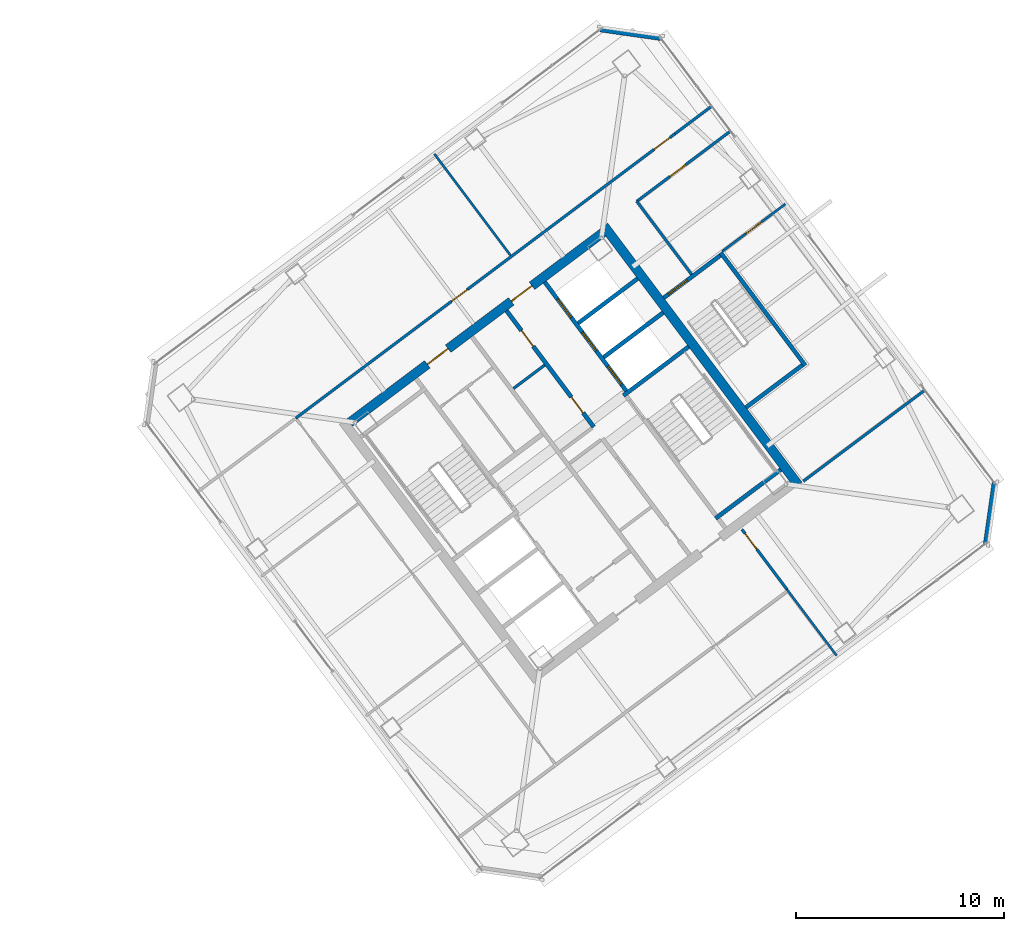
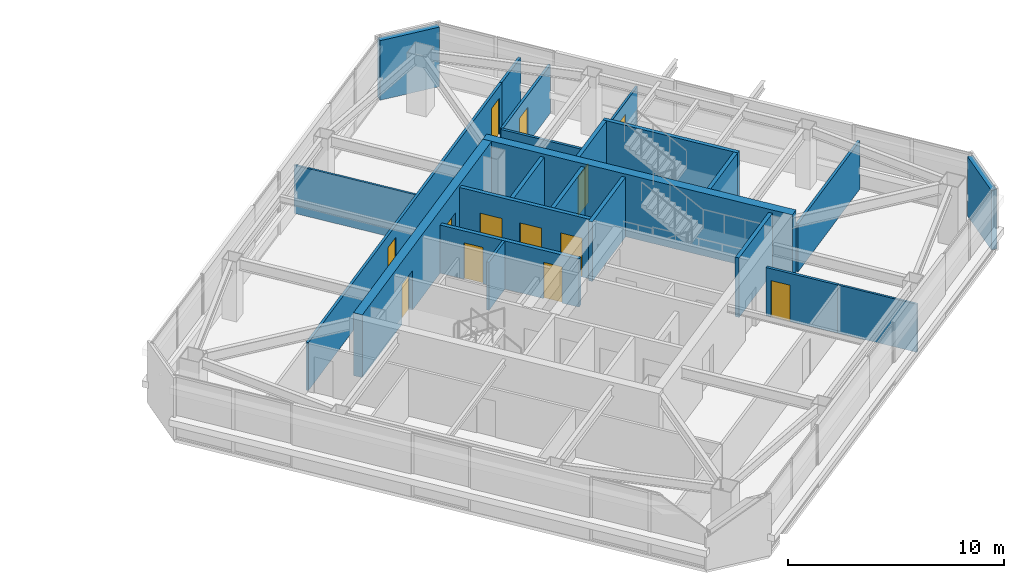
# One storey, part 37 of 44: 23 walls, 13 doors, 13 openings.
"""IFC4 building model written with IfcOpenShell, lengths in metres."""

from ifc_helpers import new_model, si_unit, direction, frame, frame_2d, origin, place, context, subcontext, project, spatial, rectangle, extrude, material, layer, layer_set, type_object, element, fill, save


model = new_model("IFC4")

# Units and contexts
model_context = context("Model", 3, precision=1e-05, world=origin(), true_north=direction((0.0, 1.0)))
body_context = subcontext(model_context, "Body", "Model", "MODEL_VIEW")
ifc_project = project(units=[si_unit("LENGTHUNIT", "METRE"), si_unit("AREAUNIT", "SQUARE_METRE"), si_unit("VOLUMEUNIT", "CUBIC_METRE"), si_unit("PLANEANGLEUNIT", "RADIAN"), si_unit("MASSUNIT", "GRAM", prefix="KILO")], contexts=[model_context])

# Site, building, storey
site_placement = place(None, origin())
site = spatial("IfcSite", under=ifc_project, at=site_placement, CompositionType="ELEMENT")
building_placement = place(site_placement, origin())
building = spatial("IfcBuilding", under=site, at=building_placement, Name="Tashvorn Skyway Center", CompositionType="ELEMENT")
storey_placement = place(building_placement, frame((0.0, 0.0, 211.300048828125)))
storey = spatial("IfcBuildingStorey", under=building, at=storey_placement, Name="L57", CompositionType="ELEMENT", Elevation=211.300048828125)

# Wall
ifc_material_1 = material(Name="Concrete C50/60", Category="concrete")
ifc_layer_1 = layer(ifc_material_1, 0.449951171875)
ifc_layer_set_1 = layer_set([ifc_layer_1], Name="Concrete C50/60")
wall_type_1 = type_object("IfcWallType", Name="WALL-CORE-450", PredefinedType="SHEAR", material=ifc_layer_set_1)
wall_1_placement = place(storey_placement, frame((115.60400390625, 42.952880859375, 0.0), z_axis=(0.0, 0.0, 1.0), x_axis=(0.600005007985, -0.799996243986, 0.0)))
element("IfcWall", 1, at=wall_1_placement, inside=storey, type_object=wall_type_1, Name="Tower 2 L57 East Core Shear Wall", PredefinedType="SHEAR", context=body_context, shape_type="SweptSolid", body=[
    extrude(rectangle(XDim=15.60009765625, YDim=0.449951171875, at=frame_2d((7.800048828125, 0.0))), origin(), (0.0, 0.0, 1.0), 3.550048828125),
])

# Wall, openings, doors
wall_2_placement = place(storey_placement, frame((103.35107421875, 33.48193359375, 0.0), z_axis=(0.0, 0.0, 1.0), x_axis=(0.8, 0.6, 0.0)))
wall_2 = element("IfcWall", 2, at=wall_2_placement, inside=storey, type_object=wall_type_1, Name="Tower 2 L57 North Core Shear Wall", PredefinedType="SHEAR", context=body_context, shape_type="SweptSolid", body=[
    extrude(rectangle(XDim=15.260009765625, YDim=0.449951171875, at=frame_2d((7.6298828125, 0.0))), origin(), (0.0, 0.0, 1.0), 3.550048828125),
])
opening_1_placement = place(wall_2_placement, frame((4.679931640625, 0.0, 0.0)))
opening_1 = element("IfcOpeningElement", 3, at=opening_1_placement, cuts=wall_2, Name="Opening D-FFL-1250", PredefinedType="OPENING", context=body_context, shape_type="SweptSolid", body=[
    extrude(rectangle(XDim=1.25, YDim=2.25, at=frame_2d((0.625, 1.125))), frame((0.0, 0.23486328125, 0.0), z_axis=(0.0, -1.0, 0.0), x_axis=(1.0, 0.0, 0.0)), (0.0, 0.0, 1.0), 0.469970703125),
])
opening_2_placement = place(wall_2_placement, frame((9.72998046875, 0.0, 0.0)))
opening_2 = element("IfcOpeningElement", 4, at=opening_2_placement, cuts=wall_2, Name="Opening D-FFL-1250", PredefinedType="OPENING", context=body_context, shape_type="SweptSolid", body=[
    extrude(rectangle(XDim=1.25, YDim=2.25, at=frame_2d((0.625, 1.125))), frame((0.0, 0.23486328125, 0.0), z_axis=(0.0, -1.0, 0.0), x_axis=(1.0, 0.0, 0.0)), (0.0, 0.0, 1.0), 0.469970703125),
])
ifc_material_2 = material(Name="Hollow galvanized steel fire door assembly", Category="steel")
door_type_1 = type_object("IfcDoorType", Name="DOOR-FFL-1250", OperationType="NOTDEFINED", PredefinedType="DOOR", material=ifc_material_2)
door_1_placement = place(opening_1_placement, origin())
door_1 = element("IfcDoor", 5, at=door_1_placement, inside=storey, type_object=door_type_1, Name="Tower 2 L57 Core North Service Lobby Door", OperationType="SINGLE_SWING_LEFT", OverallHeight=2.25, OverallWidth=1.25, PredefinedType="DOOR", context=body_context, shape_type="SweptSolid", body=[
    extrude(rectangle(XDim=1.25, YDim=2.25, at=frame_2d((0.625, 1.125))), frame((0.0, 0.02490234375, 0.0), z_axis=(0.0, -1.0, 0.0), x_axis=(1.0, 0.0, 0.0)), (0.0, 0.0, 1.0), 0.050048828125),
])
fill(opening_1, door_1)
door_2_placement = place(opening_2_placement, origin())
door_2 = element("IfcDoor", 6, at=door_2_placement, inside=storey, type_object=door_type_1, Name="Tower 2 L57 Core North Lift Lobby Door", OperationType="SINGLE_SWING_RIGHT", OverallHeight=2.25, OverallWidth=1.25, PredefinedType="DOOR", context=body_context, shape_type="SweptSolid", body=[
    extrude(rectangle(XDim=1.25, YDim=2.25, at=frame_2d((0.625, 1.125))), frame((0.0, 0.02490234375, 0.0), z_axis=(0.0, -1.0, 0.0), x_axis=(1.0, 0.0, 0.0)), (0.0, 0.0, 1.0), 0.050048828125),
])
fill(opening_2, door_2)

# Walls
ifc_material_3 = material(Name="Precast concrete C40/50", Category="concrete")
ifc_layer_2 = layer(ifc_material_3, 0.280029296875)
ifc_layer_set_2 = layer_set([ifc_layer_2], Name="Precast concrete C40/50")
wall_type_2 = type_object("IfcWallType", Name="WALL-EXT-280", PredefinedType="SOLIDWALL", material=ifc_layer_set_2)
for number, where, z_axis, x_axis, name in (
    (7, (115.419921875, 52.43994140625, 0.0), (0.0, 0.0, 1.0), (0.989954425158, -0.14138683146, 0.0), "Tower 2 L57 NE Precast Chamfer Wall"),
    (8, (134.43994140625, 30.580078125, 0.0), (0.0, 0.0, 1.0), (-0.14138683146, -0.989954425158, 0.0), "Tower 2 L57 SE Precast Chamfer Wall"),
):
    element("IfcWall", number, at=place(storey_placement, frame(where, z_axis=z_axis, x_axis=x_axis)), inside=storey, type_object=wall_type_2, Name=name, PredefinedType="SOLIDWALL", context=body_context, shape_type="SweptSolid", body=[
        extrude(rectangle(XDim=2.969970703125, YDim=0.280029296875, at=frame_2d((1.48486328125, 0.0))), origin(), (0.0, 0.0, 1.0), 3.369873046875),
    ])
ifc_material_4 = material(Name="Gypsum board on cold-formed steel stud framing", Category="steel")
ifc_layer_3 = layer(ifc_material_4, 0.110107421875)
ifc_layer_set_3 = layer_set([ifc_layer_3], Name="Gypsum board on cold-formed steel stud framing")
wall_type_3 = type_object("IfcWallType", Name="WALL-PART-110", PredefinedType="PARTITIONING", material=ifc_layer_set_3)
wall_3_placement = place(storey_placement, frame((111.092041015625, 41.5439453125, 0.0), z_axis=(0.0, 0.0, 1.0), x_axis=(-0.600006403464, 0.799995197362, 0.0)))
element("IfcWall", 9, at=wall_3_placement, inside=storey, type_object=wall_type_3, Name="Tower 2 L57 North Suite Partition 1", PredefinedType="PARTITIONING", context=body_context, shape_type="SweptSolid", body=[
    extrude(rectangle(XDim=6.10009765625, YDim=0.110107421875, at=frame_2d((3.050048828125, 0.0))), origin(), (0.0, 0.0, 1.0), 2.722900390625),
])
wall_4_placement = place(storey_placement, frame((126.80810546875, 22.256103515625, 0.0), z_axis=(0.0, 0.0, 1.0), x_axis=(-0.600019580308, 0.799985314394, 0.0)))
element("IfcWall", 10, at=wall_4_placement, inside=storey, type_object=wall_type_3, Name="Tower 2 L57 South-East Suite Wall", PredefinedType="PARTITIONING", context=body_context, shape_type="SweptSolid", body=[
    extrude(rectangle(XDim=3.989990234375, YDim=0.110107421875, at=frame_2d((1.9951171875, 0.0))), origin(), (0.0, 0.0, 1.0), 2.722900390625),
])

# Wall, opening, door
wall_5_placement = place(storey_placement, frame((124.343994140625, 44.008056640625, 0.0), z_axis=(0.0, 0.0, 1.0), x_axis=(-0.8, -0.6, 0.0)))
wall_5 = element("IfcWall", 11, at=wall_5_placement, inside=storey, type_object=wall_type_3, Name="Tower 2 L57 East Suite Partition 1", PredefinedType="PARTITIONING", context=body_context, shape_type="SweptSolid", body=[
    extrude(rectangle(XDim=3.800048828125, YDim=0.110107421875, at=frame_2d((1.89990234375, 0.0))), origin(), (0.0, 0.0, 1.0), 2.722900390625),
])
opening_3_placement = place(wall_5_placement, frame((1.425048828125, 0.0, 0.0)))
opening_3 = element("IfcOpeningElement", 12, at=opening_3_placement, cuts=wall_5, Name="Opening D-INT-950", PredefinedType="OPENING", context=body_context, shape_type="SweptSolid", body=[
    extrude(rectangle(XDim=0.949951171875, YDim=2.050048828125, at=frame_2d((0.47509765625, 1.02490234375))), frame((0.0, 0.06494140625, 0.0), z_axis=(0.0, -1.0, 0.0), x_axis=(1.0, 0.0, 0.0)), (0.0, 0.0, 1.0), 0.130126953125),
])
ifc_material_5 = material(Name="Solid-core architectural oak veneer door")
door_type_2 = type_object("IfcDoorType", Name="DOOR-INT-950", OperationType="NOTDEFINED", PredefinedType="DOOR", material=ifc_material_5)
door_3_placement = place(opening_3_placement, origin())
door_3 = element("IfcDoor", 13, at=door_3_placement, inside=storey, type_object=door_type_2, Name="Tower 2 L57 Corporate Office Door", OperationType="SINGLE_SWING_RIGHT", OverallHeight=2.050048828125, OverallWidth=0.949951171875, PredefinedType="DOOR", context=body_context, shape_type="SweptSolid", body=[
    extrude(rectangle(XDim=0.949951171875, YDim=2.050048828125, at=frame_2d((0.47509765625, 1.02490234375))), frame((0.0, 0.02490234375, 0.0), z_axis=(0.0, -1.0, 0.0), x_axis=(1.0, 0.0, 0.0)), (0.0, 0.0, 1.0), 0.050048828125),
])
fill(opening_3, door_3)

# Wall
ifc_layer_4 = layer(ifc_material_4, 0.135009765625)
ifc_layer_set_4 = layer_set([ifc_layer_4], Name="Gypsum board on cold-formed steel stud framing")
wall_type_4 = type_object("IfcWallType", Name="WALL-PART-135", PredefinedType="PARTITIONING", material=ifc_layer_set_4)
wall_6_placement = place(storey_placement, frame((119.823974609375, 40.617919921875, 0.0), z_axis=(0.0, 0.0, 1.0), x_axis=(-0.599982243973, 0.800013316712, 0.0)))
element("IfcWall", 14, at=wall_6_placement, inside=storey, type_object=wall_type_4, Name="Tower 2 L57 Stair 3 Access Corridor Wall", PredefinedType="PARTITIONING", context=body_context, shape_type="SweptSolid", body=[
    extrude(rectangle(XDim=4.39990234375, YDim=0.135009765625, at=frame_2d((2.199951171875, 0.0))), origin(), (0.0, 0.0, 1.0), 2.722900390625),
])

# Wall, openings, doors
wall_7_placement = place(storey_placement, frame((100.756103515625, 33.69189453125, 0.0), z_axis=(0.0, 0.0, 1.0), x_axis=(0.799998716732, 0.60000171102, 0.0)))
wall_7 = element("IfcWall", 15, at=wall_7_placement, inside=storey, type_object=wall_type_4, Name="Tower 2 L57 North Suite Wall", PredefinedType="PARTITIONING", context=body_context, shape_type="SweptSolid", body=[
    extrude(rectangle(XDim=22.829833984375, YDim=0.135009765625, at=frame_2d((11.4150390625, 0.0))), origin(), (0.0, 0.0, 1.0), 2.722900390625),
])
opening_4_placement = place(wall_7_placement, frame((9.3798828125, 0.0, 0.0)))
opening_4 = element("IfcOpeningElement", 16, at=opening_4_placement, cuts=wall_7, Name="Opening D-INT-950", PredefinedType="OPENING", context=body_context, shape_type="SweptSolid", body=[
    extrude(rectangle(XDim=0.949951171875, YDim=2.050048828125, at=frame_2d((0.47509765625, 1.02490234375))), frame((0.0, 0.077392578125, 0.0), z_axis=(0.0, -1.0, 0.0), x_axis=(1.0, 0.0, 0.0)), (0.0, 0.0, 1.0), 0.155029296875),
])
opening_5_placement = place(wall_7_placement, frame((21.580078125, 0.0, 0.0)))
opening_5 = element("IfcOpeningElement", 17, at=opening_5_placement, cuts=wall_7, Name="Opening D-INT-950", PredefinedType="OPENING", context=body_context, shape_type="SweptSolid", body=[
    extrude(rectangle(XDim=0.949951171875, YDim=2.050048828125, at=frame_2d((0.47509765625, 1.02490234375))), frame((0.0, 0.077392578125, 0.0), z_axis=(0.0, -1.0, 0.0), x_axis=(1.0, 0.0, 0.0)), (0.0, 0.0, 1.0), 0.155029296875),
])
door_4_placement = place(opening_4_placement, origin())
door_4 = element("IfcDoor", 18, at=door_4_placement, inside=storey, type_object=door_type_2, Name="Tower 2 L57 Wellness Clinic Door", OperationType="SINGLE_SWING_LEFT", OverallHeight=2.050048828125, OverallWidth=0.949951171875, PredefinedType="DOOR", context=body_context, shape_type="SweptSolid", body=[
    extrude(rectangle(XDim=0.949951171875, YDim=2.050048828125, at=frame_2d((0.47509765625, 1.02490234375))), frame((0.0, 0.02490234375, 0.0), z_axis=(0.0, -1.0, 0.0), x_axis=(1.0, 0.0, 0.0)), (0.0, 0.0, 1.0), 0.050048828125),
])
fill(opening_4, door_4)
door_5_placement = place(opening_5_placement, origin())
door_5 = element("IfcDoor", 19, at=door_5_placement, inside=storey, type_object=door_type_2, Name="Tower 2 L57 Wellness Clinic Door", OperationType="SINGLE_SWING_RIGHT", OverallHeight=2.050048828125, OverallWidth=0.949951171875, PredefinedType="DOOR", context=body_context, shape_type="SweptSolid", body=[
    extrude(rectangle(XDim=0.949951171875, YDim=2.050048828125, at=frame_2d((0.47509765625, 1.02490234375))), frame((0.0, 0.02490234375, 0.0), z_axis=(0.0, -1.0, 0.0), x_axis=(1.0, 0.0, 0.0)), (0.0, 0.0, 1.0), 0.050048828125),
])
fill(opening_5, door_5)

# Wall
wall_8_placement = place(storey_placement, frame((119.02001953125, 47.389892578125, 0.0), z_axis=(0.0, 0.0, 1.0), x_axis=(0.799960585956, 0.600052548463, 0.0)))
element("IfcWall", 20, at=wall_8_placement, inside=storey, type_object=wall_type_4, Name="Tower 2 L57 North-East Suite South Wall", PredefinedType="PARTITIONING", context=body_context, shape_type="SweptSolid", body=[
    extrude(rectangle(XDim=2.22998046875, YDim=0.135009765625, at=frame_2d((1.114990234375, 0.0))), origin(), (0.0, 0.0, 1.0), 2.722900390625),
])

# Wall, opening, door
wall_9_placement = place(storey_placement, frame((122.248046875, 28.3359375, 0.0), z_axis=(0.0, 0.0, 1.0), x_axis=(0.600010820699, -0.799991884361, 0.0)))
wall_9 = element("IfcWall", 21, at=wall_9_placement, inside=storey, type_object=wall_type_4, Name="Tower 2 L57 South Gallery End Wall", PredefinedType="PARTITIONING", context=body_context, shape_type="SweptSolid", body=[
    extrude(rectangle(XDim=3.60986328125, YDim=0.135009765625, at=frame_2d((1.804931640625, 0.0))), origin(), (0.0, 0.0, 1.0), 2.722900390625),
])
opening_6_placement = place(wall_9_placement, frame((0.25, 0.0, 0.0)))
opening_6 = element("IfcOpeningElement", 22, at=opening_6_placement, cuts=wall_9, Name="Opening D-INT-950", PredefinedType="OPENING", context=body_context, shape_type="SweptSolid", body=[
    extrude(rectangle(XDim=0.949951171875, YDim=2.050048828125, at=frame_2d((0.47509765625, 1.02490234375))), frame((0.0, 0.077392578125, 0.0), z_axis=(0.0, -1.0, 0.0), x_axis=(1.0, 0.0, 0.0)), (0.0, 0.0, 1.0), 0.155029296875),
])
door_6_placement = place(opening_6_placement, origin())
door_6 = element("IfcDoor", 23, at=door_6_placement, inside=storey, type_object=door_type_2, Name="Tower 2 L57 Operations Control Room Door", OperationType="SINGLE_SWING_RIGHT", OverallHeight=2.050048828125, OverallWidth=0.949951171875, PredefinedType="DOOR", context=body_context, shape_type="SweptSolid", body=[
    extrude(rectangle(XDim=0.949951171875, YDim=2.050048828125, at=frame_2d((0.47509765625, 1.02490234375))), frame((0.0, 0.02490234375, 0.0), z_axis=(0.0, -1.0, 0.0), x_axis=(1.0, 0.0, 0.0)), (0.0, 0.0, 1.0), 0.050048828125),
])
fill(opening_6, door_6)

wall_10_placement = place(storey_placement, frame((121.7041015625, 47.528076171875, 0.0), z_axis=(0.0, 0.0, 1.0), x_axis=(-0.799989629485, -0.600013827105, 0.0)))
wall_10 = element("IfcWall", 24, at=wall_10_placement, inside=storey, type_object=wall_type_4, Name="Tower 2 L57 East Suite North Wall", PredefinedType="PARTITIONING", context=body_context, shape_type="SweptSolid", body=[
    extrude(rectangle(XDim=5.650146484375, YDim=0.135009765625, at=frame_2d((2.8251953125, 0.0))), origin(), (0.0, 0.0, 1.0), 2.722900390625),
])
opening_7_placement = place(wall_10_placement, frame((2.699951171875, 0.0, 0.0)))
opening_7 = element("IfcOpeningElement", 25, at=opening_7_placement, cuts=wall_10, Name="Opening D-INT-950", PredefinedType="OPENING", context=body_context, shape_type="SweptSolid", body=[
    extrude(rectangle(XDim=0.949951171875, YDim=2.050048828125, at=frame_2d((0.47509765625, 1.02490234375))), frame((0.0, 0.077392578125, 0.0), z_axis=(0.0, -1.0, 0.0), x_axis=(1.0, 0.0, 0.0)), (0.0, 0.0, 1.0), 0.155029296875),
])
door_7_placement = place(opening_7_placement, origin())
door_7 = element("IfcDoor", 26, at=door_7_placement, inside=storey, type_object=door_type_2, Name="Tower 2 L57 Operations Control Room Door", OperationType="SINGLE_SWING_LEFT", OverallHeight=2.050048828125, OverallWidth=0.949951171875, PredefinedType="DOOR", context=body_context, shape_type="SweptSolid", body=[
    extrude(rectangle(XDim=0.949951171875, YDim=2.050048828125, at=frame_2d((0.47509765625, 1.02490234375))), frame((0.0, 0.02490234375, 0.0), z_axis=(0.0, -1.0, 0.0), x_axis=(1.0, 0.0, 0.0)), (0.0, 0.0, 1.0), 0.050048828125),
])
fill(opening_7, door_7)

# Walls
wall_11_placement = place(storey_placement, frame((125.2080078125, 30.656005859375, 0.0), z_axis=(0.0, 0.0, 1.0), x_axis=(0.79999199534, 0.600010672732, 0.0)))
element("IfcWall", 27, at=wall_11_placement, inside=storey, type_object=wall_type_4, Name="Tower 2 L57 East Suite South Wall", PredefinedType="PARTITIONING", context=body_context, shape_type="SweptSolid", body=[
    extrude(rectangle(XDim=7.320068359375, YDim=0.135009765625, at=frame_2d((3.66015625, 0.0))), origin(), (0.0, 0.0, 1.0), 2.722900390625),
])
ifc_layer_5 = layer(ifc_material_4, 0.135009765625)
ifc_layer_set_5 = layer_set([ifc_layer_5], Name="Gypsum board on cold-formed steel stud framing")
wall_type_5 = type_object("IfcWallType", Name="WALL-RATED-135", PredefinedType="PARTITIONING", material=ifc_layer_set_5)
wall_12_placement = place(storey_placement, frame((111.24609375, 35.1220703125, 0.0), z_axis=(0.0, 0.0, 1.0), x_axis=(0.8, 0.6, 0.0)))
element("IfcWall", 28, at=wall_12_placement, inside=storey, type_object=wall_type_5, Name="Tower 2 L57 Freed Mid-Rise Partition", PredefinedType="PARTITIONING", context=body_context, shape_type="SweptSolid", body=[
    extrude(rectangle(XDim=1.8798828125, YDim=0.135009765625, at=frame_2d((0.93994140625, 0.0))), origin(), (0.0, 0.0, 1.0), 2.722900390625),
])
ifc_material_6 = material(Name="Concrete C40/50", Category="concrete")
ifc_layer_6 = layer(ifc_material_6, 0.199951171875)
ifc_layer_set_6 = layer_set([ifc_layer_6], Name="Concrete C40/50")
wall_type_6 = type_object("IfcWallType", Name="WALL-SHAFT-200", PredefinedType="SOLIDWALL", material=ifc_layer_set_6)
for number, where, z_axis, x_axis, name in (
    (29, (115.590087890625, 36.6298828125, 0.0), (0.0, 0.0, 1.0), (0.799975449747, 0.600032732276, 0.0), "Tower 2 L57 High-Rise Shaft Divider"),
    (30, (114.360107421875, 38.27001953125, 0.0), (0.0, 0.0, 1.0), (0.800008183455, 0.599989088572, 0.0), "Tower 2 L57 High-Rise Shaft Divider"),
):
    element("IfcWall", number, at=place(storey_placement, frame(where, z_axis=z_axis, x_axis=x_axis)), inside=storey, type_object=wall_type_6, Name=name, PredefinedType="SOLIDWALL", context=body_context, shape_type="SweptSolid", body=[
        extrude(rectangle(XDim=3.580078125, YDim=0.199951171875, at=frame_2d((1.7900390625, 0.0))), origin(), (0.0, 0.0, 1.0), 3.369873046875),
    ])

# Wall, openings, doors
wall_13_placement = place(storey_placement, frame((115.110107421875, 33.27001953125, 0.0), z_axis=(0.0, 0.0, 1.0), x_axis=(-0.600011160345, 0.79999162962, 0.0)))
wall_13 = element("IfcWall", 31, at=wall_13_placement, inside=storey, type_object=wall_type_6, Name="Tower 2 L57 Mid-Rise Core Wall", PredefinedType="SOLIDWALL", context=body_context, shape_type="SweptSolid", body=[
    extrude(rectangle(XDim=7.000244140625, YDim=0.199951171875, at=frame_2d((3.5, 0.0))), origin(), (0.0, 0.0, 1.0), 2.722900390625),
])
opening_8_placement = place(wall_13_placement, frame((0.85009765625, 0.0, 0.0)))
opening_8 = element("IfcOpeningElement", 32, at=opening_8_placement, cuts=wall_13, Name="Opening D-RT-950", PredefinedType="OPENING", context=body_context, shape_type="SweptSolid", body=[
    extrude(rectangle(XDim=0.949951171875, YDim=2.050048828125, at=frame_2d((0.47509765625, 1.02490234375))), frame((0.0, 0.10986328125, 0.0), z_axis=(0.0, -1.0, 0.0), x_axis=(1.0, 0.0, 0.0)), (0.0, 0.0, 1.0), 0.219970703125),
])
opening_9_placement = place(wall_13_placement, frame((4.85009765625, 0.0, 0.0)))
opening_9 = element("IfcOpeningElement", 33, at=opening_9_placement, cuts=wall_13, Name="Opening D-RT-950", PredefinedType="OPENING", context=body_context, shape_type="SweptSolid", body=[
    extrude(rectangle(XDim=0.949951171875, YDim=2.050048828125, at=frame_2d((0.47509765625, 1.02490234375))), frame((0.0, 0.10986328125, 0.0), z_axis=(0.0, -1.0, 0.0), x_axis=(1.0, 0.0, 0.0)), (0.0, 0.0, 1.0), 0.219970703125),
])
door_type_3 = type_object("IfcDoorType", Name="DOOR-RATED-950", OperationType="NOTDEFINED", PredefinedType="DOOR", material=ifc_material_2)
door_8_placement = place(opening_8_placement, origin())
door_8 = element("IfcDoor", 34, at=door_8_placement, inside=storey, type_object=door_type_3, Name="Tower 2 L57 Core IT Room Door", OperationType="SINGLE_SWING_RIGHT", OverallHeight=2.050048828125, OverallWidth=0.949951171875, PredefinedType="DOOR", context=body_context, shape_type="SweptSolid", body=[
    extrude(rectangle(XDim=0.949951171875, YDim=2.050048828125, at=frame_2d((0.47509765625, 1.02490234375))), frame((0.0, 0.02490234375, 0.0), z_axis=(0.0, -1.0, 0.0), x_axis=(1.0, 0.0, 0.0)), (0.0, 0.0, 1.0), 0.050048828125),
])
fill(opening_8, door_8)
door_9_placement = place(opening_9_placement, origin())
door_9 = element("IfcDoor", 35, at=door_9_placement, inside=storey, type_object=door_type_3, Name="Tower 2 L57 Core Catering Pantry Door", OperationType="SINGLE_SWING_LEFT", OverallHeight=2.050048828125, OverallWidth=0.949951171875, PredefinedType="DOOR", context=body_context, shape_type="SweptSolid", body=[
    extrude(rectangle(XDim=0.949951171875, YDim=2.050048828125, at=frame_2d((0.47509765625, 1.02490234375))), frame((0.0, 0.02490234375, 0.0), z_axis=(0.0, -1.0, 0.0), x_axis=(1.0, 0.0, 0.0)), (0.0, 0.0, 1.0), 0.050048828125),
])
fill(opening_9, door_9)

# Walls
ifc_layer_7 = layer(ifc_material_6, 0.199951171875)
ifc_layer_set_7 = layer_set([ifc_layer_7], Name="Concrete C40/50")
wall_type_7 = type_object("IfcWallType", Name="WALL-STSHF-200", PredefinedType="SHEAR", material=ifc_layer_set_7)
for number, where, z_axis, x_axis, name in (
    (36, (116.5400390625, 34.780029296875, 0.0), (0.0, 0.0, 1.0), (0.800014909178, 0.599980120581, 0.0), "Tower 2 L57 Stair 2 North Wall"),
    (37, (120.97998046875, 28.860107421875, 0.0), (0.0, 0.0, 1.0), (0.800014909178, 0.599980120581, 0.0), "Tower 2 L57 Stair 2 South Wall"),
):
    element("IfcWall", number, at=place(storey_placement, frame(where, z_axis=z_axis, x_axis=x_axis)), inside=storey, type_object=wall_type_7, Name=name, PredefinedType="SHEAR", context=body_context, shape_type="SweptSolid", body=[
        extrude(rectangle(XDim=3.929931640625, YDim=0.199951171875, at=frame_2d((1.96484375, 0.0))), origin(), (0.0, 0.0, 1.0), 3.369873046875),
    ])

# Wall, openings, doors
wall_14_placement = place(storey_placement, frame((112.75, 40.25, 0.0), z_axis=(0.0, 0.0, 1.0), x_axis=(0.599994036198, -0.800004472816, 0.0)))
wall_14 = element("IfcWall", 38, at=wall_14_placement, inside=storey, type_object=wall_type_7, Name="Tower 2 L57 High-Rise Lift Shaft Front Wall", PredefinedType="SHEAR", context=body_context, shape_type="SweptSolid", body=[
    extrude(rectangle(XDim=6.550048828125, YDim=0.199951171875, at=frame_2d((3.27490234375, 0.0))), origin(), (0.0, 0.0, 1.0), 3.369873046875),
])
opening_10_placement = place(wall_14_placement, frame((5.074951171875, 0.0, 0.0)))
opening_10 = element("IfcOpeningElement", 39, at=opening_10_placement, cuts=wall_14, Name="Opening LD-HR-T2-1-L57", PredefinedType="OPENING", context=body_context, shape_type="SweptSolid", body=[
    extrude(rectangle(XDim=1.10009765625, YDim=2.199951171875, at=frame_2d((0.550048828125, 1.10009765625))), frame((0.0, 0.10986328125, 0.0), z_axis=(0.0, -1.0, 0.0), x_axis=(1.0, 0.0, 0.0)), (0.0, 0.0, 1.0), 0.219970703125),
])
opening_11_placement = place(wall_14_placement, frame((3.02490234375, 0.0, 0.0)))
opening_11 = element("IfcOpeningElement", 40, at=opening_11_placement, cuts=wall_14, Name="Opening LD-HR-T2-2-L57", PredefinedType="OPENING", context=body_context, shape_type="SweptSolid", body=[
    extrude(rectangle(XDim=1.10009765625, YDim=2.199951171875, at=frame_2d((0.550048828125, 1.10009765625))), frame((0.0, 0.10986328125, 0.0), z_axis=(0.0, -1.0, 0.0), x_axis=(1.0, 0.0, 0.0)), (0.0, 0.0, 1.0), 0.219970703125),
])
opening_12_placement = place(wall_14_placement, frame((1.02490234375, 0.0, 0.0)))
opening_12 = element("IfcOpeningElement", 41, at=opening_12_placement, cuts=wall_14, Name="Opening LD-HR-T2-3-L57", PredefinedType="OPENING", context=body_context, shape_type="SweptSolid", body=[
    extrude(rectangle(XDim=1.10009765625, YDim=2.199951171875, at=frame_2d((0.550048828125, 1.10009765625))), frame((0.0, 0.10986328125, 0.0), z_axis=(0.0, -1.0, 0.0), x_axis=(1.0, 0.0, 0.0)), (0.0, 0.0, 1.0), 0.219970703125),
])
ifc_material_7 = material(Name="Stainless steel landing door", Category="steel")
door_type_4 = type_object("IfcDoorType", Name="DOOR-LIFT-1100", OperationType="SLIDING_TO_LEFT", PredefinedType="DOOR", material=ifc_material_7)
door_10_placement = place(opening_10_placement, origin())
door_10 = element("IfcDoor", 42, at=door_10_placement, inside=storey, type_object=door_type_4, Name="Lift HR-T2-1 L57 Landing Door", OperationType="SLIDING_TO_LEFT", OverallHeight=2.199951171875, OverallWidth=1.10009765625, PredefinedType="DOOR", context=body_context, shape_type="SweptSolid", body=[
    extrude(rectangle(XDim=1.10009765625, YDim=2.199951171875, at=frame_2d((0.550048828125, 1.10009765625))), frame((0.0, 0.02490234375, 0.0), z_axis=(0.0, -1.0, 0.0), x_axis=(1.0, 0.0, 0.0)), (0.0, 0.0, 1.0), 0.050048828125),
])
fill(opening_10, door_10)
door_11_placement = place(opening_11_placement, origin())
door_11 = element("IfcDoor", 43, at=door_11_placement, inside=storey, type_object=door_type_4, Name="Lift HR-T2-2 L57 Landing Door", OperationType="SLIDING_TO_LEFT", OverallHeight=2.199951171875, OverallWidth=1.10009765625, PredefinedType="DOOR", context=body_context, shape_type="SweptSolid", body=[
    extrude(rectangle(XDim=1.10009765625, YDim=2.199951171875, at=frame_2d((0.550048828125, 1.10009765625))), frame((0.0, 0.02490234375, 0.0), z_axis=(0.0, -1.0, 0.0), x_axis=(1.0, 0.0, 0.0)), (0.0, 0.0, 1.0), 0.050048828125),
])
fill(opening_11, door_11)
door_12_placement = place(opening_12_placement, origin())
door_12 = element("IfcDoor", 44, at=door_12_placement, inside=storey, type_object=door_type_4, Name="Lift HR-T2-3 L57 Landing Door", OperationType="SLIDING_TO_LEFT", OverallHeight=2.199951171875, OverallWidth=1.10009765625, PredefinedType="DOOR", context=body_context, shape_type="SweptSolid", body=[
    extrude(rectangle(XDim=1.10009765625, YDim=2.199951171875, at=frame_2d((0.550048828125, 1.10009765625))), frame((0.0, 0.02490234375, 0.0), z_axis=(0.0, -1.0, 0.0), x_axis=(1.0, 0.0, 0.0)), (0.0, 0.0, 1.0), 0.050048828125),
])
fill(opening_12, door_12)

# Wall
wall_15_placement = place(storey_placement, frame((125.303955078125, 36.22802734375, 0.0), z_axis=(0.0, 0.0, 1.0), x_axis=(-0.59998851072, 0.800008616831, 0.0)))
element("IfcWall", 45, at=wall_15_placement, inside=storey, type_object=wall_type_7, Name="Tower 2 L57 Stair 3 Outer Wall", PredefinedType="SHEAR", context=body_context, shape_type="SweptSolid", body=[
    extrude(rectangle(XDim=6.7998046875, YDim=0.199951171875, at=frame_2d((3.39990234375, 0.0))), origin(), (0.0, 0.0, 1.0), 3.369873046875),
])

# Wall, opening, door
wall_16_placement = place(storey_placement, frame((121.2041015625, 41.528076171875, 0.0), z_axis=(0.0, 0.0, 1.0), x_axis=(-0.800017232136, -0.599977023131, 0.0)))
wall_16 = element("IfcWall", 46, at=wall_16_placement, inside=storey, type_object=wall_type_7, Name="Tower 2 L57 Stair 3 Enclosure Wall", PredefinedType="SHEAR", context=body_context, shape_type="SweptSolid", body=[
    extrude(rectangle(XDim=3.400146484375, YDim=0.199951171875, at=frame_2d((1.7001953125, 0.0))), origin(), (0.0, 0.0, 1.0), 3.369873046875),
])
opening_13_placement = place(wall_16_placement, frame((1.97509765625, 0.0, 0.0)))
opening_13 = element("IfcOpeningElement", 47, at=opening_13_placement, cuts=wall_16, Name="Opening D-ST-1150", PredefinedType="OPENING", context=body_context, shape_type="SweptSolid", body=[
    extrude(rectangle(XDim=1.14990234375, YDim=2.199951171875, at=frame_2d((0.574951171875, 1.10009765625))), frame((0.0, 0.10986328125, 0.0), z_axis=(0.0, -1.0, 0.0), x_axis=(1.0, 0.0, 0.0)), (0.0, 0.0, 1.0), 0.219970703125),
])
door_type_5 = type_object("IfcDoorType", Name="DOOR-STAIR-1150", OperationType="NOTDEFINED", PredefinedType="DOOR", material=ifc_material_2)
door_13_placement = place(opening_13_placement, origin())
door_13 = element("IfcDoor", 48, at=door_13_placement, inside=storey, type_object=door_type_5, Name="Tower 2 L57 Exit Stair 3 Door", OperationType="SINGLE_SWING_RIGHT", OverallHeight=2.199951171875, OverallWidth=1.14990234375, PredefinedType="DOOR", context=body_context, shape_type="SweptSolid", body=[
    extrude(rectangle(XDim=1.14990234375, YDim=2.199951171875, at=frame_2d((0.574951171875, 1.10009765625))), frame((0.0, 0.02490234375, 0.0), z_axis=(0.0, -1.0, 0.0), x_axis=(1.0, 0.0, 0.0)), (0.0, 0.0, 1.0), 0.050048828125),
])
fill(opening_13, door_13)

# Wall
wall_17_placement = place(storey_placement, frame((122.444091796875, 34.2080078125, 0.0), z_axis=(0.0, 0.0, 1.0), x_axis=(0.79999138319, 0.600011488909, 0.0)))
element("IfcWall", 49, at=wall_17_placement, inside=storey, type_object=wall_type_7, Name="Tower 2 L57 Stair 3 South Wall", PredefinedType="SHEAR", context=body_context, shape_type="SweptSolid", body=[
    extrude(rectangle(XDim=3.39990234375, YDim=0.199951171875, at=frame_2d((1.699951171875, 0.0))), origin(), (0.0, 0.0, 1.0), 3.369873046875),
])

save(model, "model.ifc")
